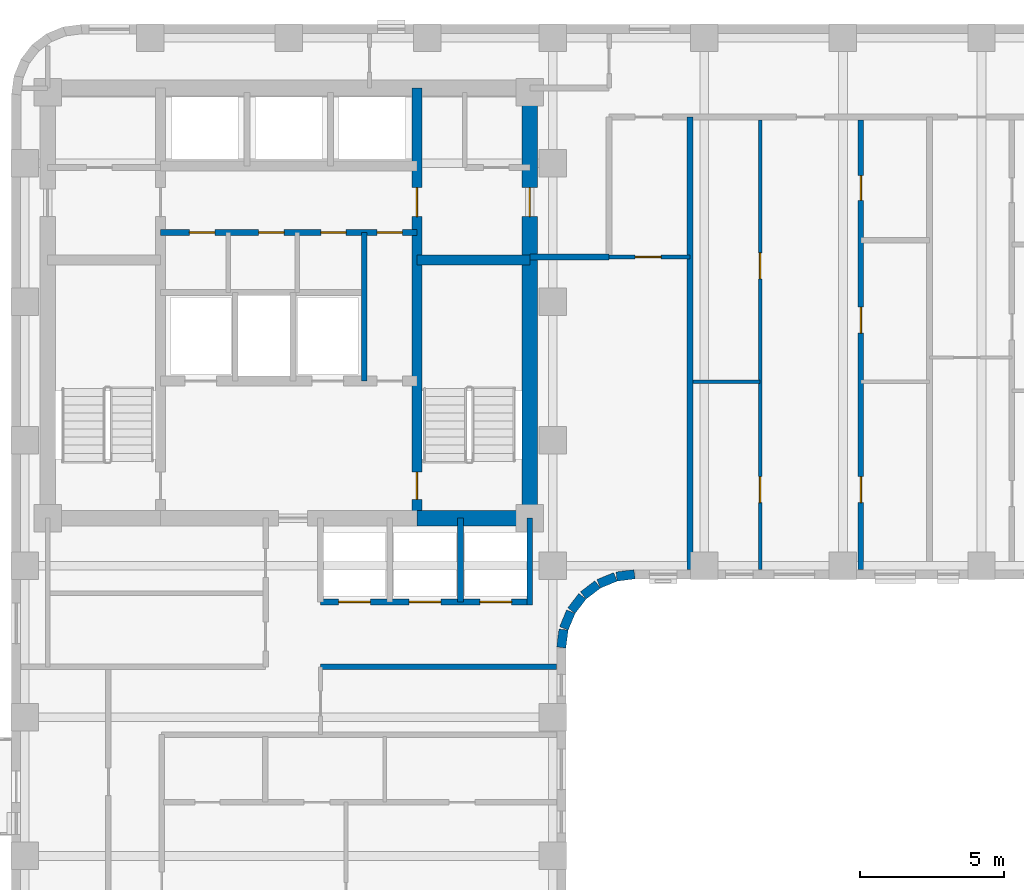
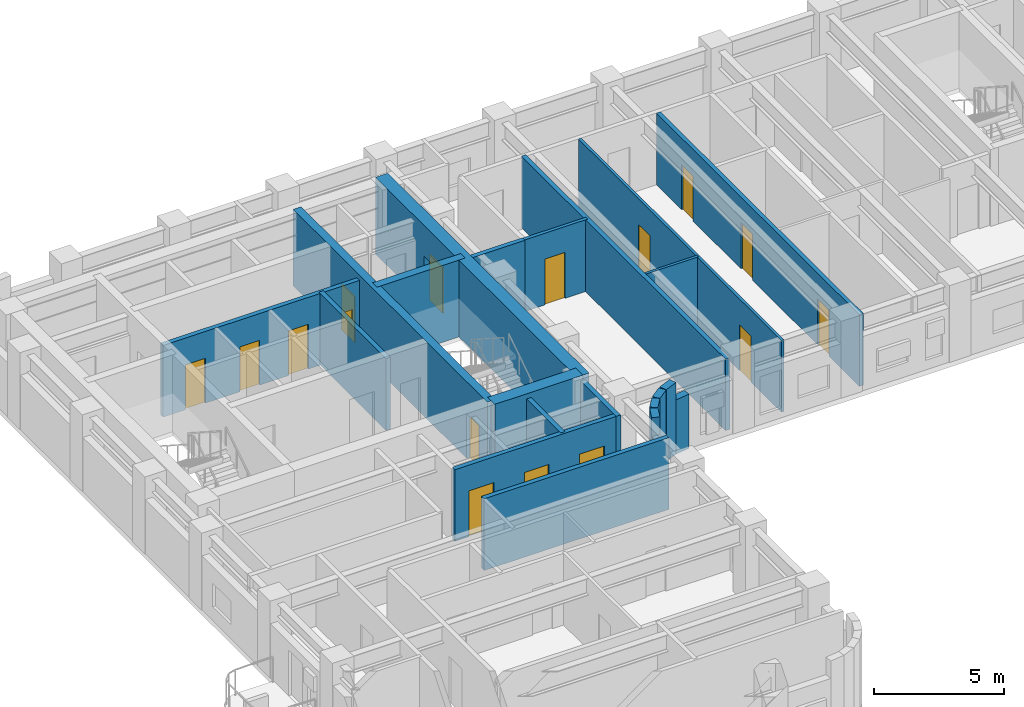
# One storey, part 4 of 10: 22 walls, 16 doors, 16 openings.
"""IFC4 building model written with IfcOpenShell, lengths in metres."""

from ifc_helpers import new_model, si_unit, direction, frame, frame_2d, origin, place, context, subcontext, project, spatial, rectangle, extrude, material, layer, layer_set, type_object, element, fill, save


model = new_model("IFC4")

# Units and contexts
model_context = context("Model", 3, precision=1e-05, world=origin(), true_north=direction((0.0, 1.0)))
body_context = subcontext(model_context, "Body", "Model", "MODEL_VIEW")
ifc_project = project(units=[si_unit("LENGTHUNIT", "METRE"), si_unit("AREAUNIT", "SQUARE_METRE"), si_unit("VOLUMEUNIT", "CUBIC_METRE"), si_unit("PLANEANGLEUNIT", "RADIAN"), si_unit("MASSUNIT", "GRAM", prefix="KILO")], contexts=[model_context])

# Site, building, storey
site_placement = place(None, origin())
site = spatial("IfcSite", under=ifc_project, at=site_placement, CompositionType="ELEMENT")
building_placement = place(site_placement, origin())
building = spatial("IfcBuilding", under=site, at=building_placement, Name="Orvandelia Arch Residences", CompositionType="ELEMENT")
storey_placement = place(building_placement, frame((0.0, 0.0, 143.199951171875)))
storey = spatial("IfcBuildingStorey", under=building, at=storey_placement, Name="L37", CompositionType="ELEMENT", Elevation=143.199951171875)

# Wall, openings, doors
ifc_material_1 = material(Name="Concrete C50/60", Category="concrete")
ifc_layer_1 = layer(ifc_material_1, 0.35009765625, Name="Concrete C50/60", Category="concrete")
ifc_layer_set_1 = layer_set([ifc_layer_1], Name="Concrete C50/60")
wall_type_1 = type_object("IfcWallType", Name="WL-CORE-350", PredefinedType="SHEAR", material=ifc_layer_set_1)
wall_1_placement = place(storey_placement, frame((18.840087890625, 30.89990234375, 0.0), z_axis=(0.0, 0.0, 1.0), x_axis=(0.0, 1.0, 0.0)))
wall_1 = element("IfcWall", 1, at=wall_1_placement, inside=storey, type_object=wall_type_1, Name="Core Shear Wall L37-WEB2", PredefinedType="SHEAR", context=body_context, shape_type="SweptSolid", body=[
    extrude(rectangle(XDim=14.900146484375, YDim=0.35009765625, at=frame_2d((7.4501953125, 0.0))), origin(), (0.0, 0.0, 1.0), 3.60009765625),
])
opening_1_placement = place(wall_1_placement, frame((0.64990234375, 0.0, 0.0)))
opening_1 = element("IfcOpeningElement", 2, at=opening_1_placement, cuts=wall_1, Name="Opening D7", PredefinedType="OPENING", context=body_context, shape_type="SweptSolid", body=[
    extrude(rectangle(XDim=0.949951171875, YDim=2.10009765625, at=frame_2d((0.47509765625, 1.050048828125))), frame((0.0, 0.18505859375, 0.0), z_axis=(0.0, -1.0, 0.0), x_axis=(1.0, 0.0, 0.0)), (0.0, 0.0, 1.0), 0.3701171875),
])
opening_2_placement = place(wall_1_placement, frame((10.449951171875, 0.0, 0.0)))
opening_2 = element("IfcOpeningElement", 3, at=opening_2_placement, cuts=wall_1, Name="Opening D6", PredefinedType="OPENING", context=body_context, shape_type="SweptSolid", body=[
    extrude(rectangle(XDim=1.0, YDim=2.14990234375, at=frame_2d((0.5, 1.074951171875))), frame((0.0, 0.18505859375, 0.0), z_axis=(0.0, -1.0, 0.0), x_axis=(1.0, 0.0, 0.0)), (0.0, 0.0, 1.0), 0.3701171875),
])
ifc_material_2 = material(Name="Smokeproof Painted Steel Fire Door", Category="steel")
door_type_1 = type_object("IfcDoorType", Name="DR-FD60-1000", OperationType="NOTDEFINED", PredefinedType="DOOR", material=ifc_material_2)
door_1_placement = place(opening_2_placement, origin())
door_1 = element("IfcDoor", 4, at=door_1_placement, inside=storey, type_object=door_type_1, Name="High-Rise Lift Hall East Vestibule Door L37", OperationType="SINGLE_SWING_RIGHT", OverallHeight=2.14990234375, OverallWidth=1.0, PredefinedType="DOOR", context=body_context, shape_type="SweptSolid", body=[
    extrude(rectangle(XDim=1.0, YDim=2.14990234375, at=frame_2d((0.5, 1.074951171875))), frame((0.0, 0.02490234375, 0.0), z_axis=(0.0, -1.0, 0.0), x_axis=(1.0, 0.0, 0.0)), (0.0, 0.0, 1.0), 0.050048828125),
])
fill(opening_2, door_1)
ifc_material_3 = material(Name="Pressurised Stairwell Fire Door")
door_type_2 = type_object("IfcDoorType", Name="DR-STAIR-950", OperationType="NOTDEFINED", PredefinedType="DOOR", material=ifc_material_3)
door_2_placement = place(opening_1_placement, origin())
door_2 = element("IfcDoor", 5, at=door_2_placement, inside=storey, type_object=door_type_2, Name="Stairwell ST-2 Fire Door L37", OperationType="SINGLE_SWING_RIGHT", OverallHeight=2.10009765625, OverallWidth=0.949951171875, PredefinedType="DOOR", context=body_context, shape_type="SweptSolid", body=[
    extrude(rectangle(XDim=0.949951171875, YDim=2.10009765625, at=frame_2d((0.47509765625, 1.050048828125))), frame((0.0, 0.02490234375, 0.0), z_axis=(0.0, -1.0, 0.0), x_axis=(1.0, 0.0, 0.0)), (0.0, 0.0, 1.0), 0.050048828125),
])
fill(opening_1, door_2)

# Wall
wall_2_placement = place(storey_placement, frame((18.840087890625, 39.85009765625, 0.0), z_axis=(0.0, 0.0, 1.0), x_axis=(1.0, 0.0, 0.0)))
element("IfcWall", 6, at=wall_2_placement, inside=storey, type_object=wall_type_1, Name="Core Shear Wall L37-HZ2", PredefinedType="SHEAR", context=body_context, shape_type="SweptSolid", body=[
    extrude(rectangle(XDim=3.909912109375, YDim=0.35009765625, at=frame_2d((1.955078125, 0.0))), origin(), (0.0, 0.0, 1.0), 3.60009765625),
])

# Wall, opening, door
ifc_material_4 = material(Name="Concrete C60/75", Category="concrete")
ifc_layer_2 = layer(ifc_material_4, 0.550048828125, Name="Concrete C60/75", Category="concrete")
ifc_layer_set_2 = layer_set([ifc_layer_2], Name="Concrete C60/75")
wall_type_2 = type_object("IfcWallType", Name="WL-CORE-550", PredefinedType="SHEAR", material=ifc_layer_set_2)
wall_3_placement = place(storey_placement, frame((22.75, 30.625, 0.0), z_axis=(0.0, 0.0, 1.0), x_axis=(0.0, 1.0, 0.0)))
wall_3 = element("IfcWall", 7, at=wall_3_placement, inside=storey, type_object=wall_type_2, Name="Core Shear Wall L37-E", PredefinedType="SHEAR", context=body_context, shape_type="SweptSolid", body=[
    extrude(rectangle(XDim=15.449951171875, YDim=0.550048828125, at=frame_2d((7.72509765625, 0.0))), origin(), (0.0, 0.0, 1.0), 3.60009765625),
])
opening_3_placement = place(wall_3_placement, frame((10.72509765625, 0.0, 0.0)))
opening_3 = element("IfcOpeningElement", 8, at=opening_3_placement, cuts=wall_3, Name="Opening D6", PredefinedType="OPENING", context=body_context, shape_type="SweptSolid", body=[
    extrude(rectangle(XDim=1.0, YDim=2.14990234375, at=frame_2d((0.5, 1.074951171875))), frame((0.0, 0.28515625, 0.0), z_axis=(0.0, -1.0, 0.0), x_axis=(1.0, 0.0, 0.0)), (0.0, 0.0, 1.0), 0.570068359375),
])
door_3_placement = place(opening_3_placement, origin())
door_3 = element("IfcDoor", 9, at=door_3_placement, inside=storey, type_object=door_type_1, Name="Core East Corridor Link Door L37", OperationType="SINGLE_SWING_LEFT", OverallHeight=2.14990234375, OverallWidth=1.0, PredefinedType="DOOR", context=body_context, shape_type="SweptSolid", body=[
    extrude(rectangle(XDim=1.0, YDim=2.14990234375, at=frame_2d((0.5, 1.074951171875))), frame((0.0, 0.02490234375, 0.0), z_axis=(0.0, -1.0, 0.0), x_axis=(1.0, 0.0, 0.0)), (0.0, 0.0, 1.0), 0.050048828125),
])
fill(opening_3, door_3)

# Walls
wall_4_placement = place(storey_placement, frame((18.840087890625, 30.89990234375, 0.0), z_axis=(0.0, 0.0, 1.0), x_axis=(1.0, 0.0, 0.0)))
element("IfcWall", 10, at=wall_4_placement, inside=storey, type_object=wall_type_2, Name="Core Shear Wall L37-SE", PredefinedType="SHEAR", context=body_context, shape_type="SweptSolid", body=[
    extrude(rectangle(XDim=3.909912109375, YDim=0.550048828125, at=frame_2d((1.955078125, 0.0))), origin(), (0.0, 0.0, 1.0), 3.60009765625),
])
ifc_material_5 = material(Name="Fire-Rated Corridor Partition")
ifc_layer_3 = layer(ifc_material_5, 0.199951171875, Name="Fire-Rated Corridor Partition")
ifc_layer_set_3 = layer_set([ifc_layer_3], Name="Fire-Rated Corridor Partition")
wall_type_3 = type_object("IfcWallType", Name="WL-CORR-200", PredefinedType="PARTITIONING", material=ifc_layer_set_3)
wall_5_placement = place(storey_placement, frame((15.5, 25.75, 0.0), z_axis=(0.0, 0.0, 1.0), x_axis=(1.0, 0.0, 0.0)))
element("IfcWall", 11, at=wall_5_placement, inside=storey, type_object=wall_type_3, Name="Interior Partition Wall WL-L37-WLNK-NE2", PredefinedType="PARTITIONING", context=body_context, shape_type="SweptSolid", body=[
    extrude(rectangle(XDim=8.179931640625, YDim=0.199951171875, at=frame_2d((4.08984375, 0.0))), origin(), (0.0, 0.0, 1.0), 3.360107421875),
])
wall_6_placement = place(storey_placement, frame((22.75, 39.949951171875, 0.0), z_axis=(0.0, 0.0, 1.0), x_axis=(1.0, 0.0, 0.0)))
element("IfcWall", 12, at=wall_6_placement, inside=storey, type_object=wall_type_3, Name="Interior Partition Wall WL-L37-EN2-LS", PredefinedType="PARTITIONING", context=body_context, shape_type="SweptSolid", body=[
    extrude(rectangle(XDim=2.75, YDim=0.199951171875, at=frame_2d((1.375, 0.0))), origin(), (0.0, 0.0, 1.0), 3.360107421875),
])
ifc_material_6 = material(Name="Concrete C40/50", Category="concrete")
ifc_layer_4 = layer(ifc_material_6, 0.199951171875, Name="Concrete C40/50", Category="concrete")
ifc_layer_set_4 = layer_set([ifc_layer_4], Name="Concrete C40/50")
wall_type_4 = type_object("IfcWallType", Name="WL-DEM-200", PredefinedType="SOLIDWALL", material=ifc_layer_set_4)
wall_7_placement = place(storey_placement, frame((28.300048828125, 29.1201171875, 0.0), z_axis=(0.0, 0.0, 1.0), x_axis=(0.0, 1.0, 0.0)))
element("IfcWall", 13, at=wall_7_placement, inside=storey, type_object=wall_type_4, Name="Interior Partition Wall WL-L37-EN2-KLE", PredefinedType="SOLIDWALL", context=body_context, shape_type="SweptSolid", body=[
    extrude(rectangle(XDim=15.679931640625, YDim=0.199951171875, at=frame_2d((7.83984375, 0.0))), origin(), (0.0, 0.0, 1.0), 3.360107421875),
])
ifc_material_7 = material(Name="Precast concrete C40/50", Category="concrete")
ifc_layer_5 = layer(ifc_material_7, 0.320068359375, Name="Precast concrete C40/50", Category="concrete")
ifc_layer_set_5 = layer_set([ifc_layer_5], Name="Precast concrete C40/50")
wall_type_5 = type_object("IfcWallType", Name="WL-EXT-STONE-320", PredefinedType="STANDARD", material=ifc_layer_set_5)
wall_8_placement = place(storey_placement, frame((26.379150390625, 28.95849609375, 0.0), z_axis=(0.0, 0.0, 1.0), x_axis=(-0.991447664465, -0.130504898859, 0.0)))
element("IfcWall", 14, at=wall_8_placement, inside=storey, type_object=wall_type_5, Name="Coral-Limestone Precast Facade Wall L37-022", PredefinedType="STANDARD", context=body_context, shape_type="SweptSolid", body=[
    extrude(rectangle(XDim=0.626708984375, YDim=0.320068359375, at=frame_2d((0.3134765625, 0.0))), origin(), (0.0, 0.0, 1.0), 2.5400390625),
])
wall_9_placement = place(storey_placement, frame((25.717529296875, 28.865966796875, 0.0), z_axis=(0.0, 0.0, 1.0), x_axis=(-0.923836271867, -0.382787856107, 0.0)))
element("IfcWall", 15, at=wall_9_placement, inside=storey, type_object=wall_type_5, Name="Coral-Limestone Precast Facade Wall L37-023", PredefinedType="STANDARD", context=body_context, shape_type="SweptSolid", body=[
    extrude(rectangle(XDim=0.626220703125, YDim=0.320068359375, at=frame_2d((0.31298828125, 0.0))), origin(), (0.0, 0.0, 1.0), 3.360107421875),
])
for number, where, z_axis, x_axis, name in (
    (16, (25.1025390625, 28.60546875, 0.0), (0.0, 0.0, 1.0), (-0.793405610854, -0.608693302629, 0.0), "Coral-Limestone Precast Facade Wall L37-024"),
    (17, (24.575927734375, 28.194580078125, 0.0), (0.0, 0.0, 1.0), (-0.608693302629, -0.793405610854, 0.0), "Coral-Limestone Precast Facade Wall L37-025"),
):
    element("IfcWall", number, at=place(storey_placement, frame(where, z_axis=z_axis, x_axis=x_axis)), inside=storey, type_object=wall_type_5, Name=name, PredefinedType="STANDARD", context=body_context, shape_type="SweptSolid", body=[
        extrude(rectangle(XDim=0.62646484375, YDim=0.320068359375, at=frame_2d((0.313232421875, 0.0))), origin(), (0.0, 0.0, 1.0), 3.360107421875),
    ])
wall_10_placement = place(storey_placement, frame((24.173583984375, 27.6611328125, 0.0), z_axis=(0.0, 0.0, 1.0), x_axis=(-0.382455093999, -0.923974080304, 0.0)))
element("IfcWall", 18, at=wall_10_placement, inside=storey, type_object=wall_type_5, Name="Coral-Limestone Precast Facade Wall L37-026", PredefinedType="STANDARD", context=body_context, shape_type="SweptSolid", body=[
    extrude(rectangle(XDim=0.626220703125, YDim=0.320068359375, at=frame_2d((0.31298828125, 0.0))), origin(), (0.0, 0.0, 1.0), 3.360107421875),
])
wall_11_placement = place(storey_placement, frame((23.923095703125, 27.0419921875, 0.0), z_axis=(0.0, 0.0, 1.0), x_axis=(-0.130555323746, -0.9914410257, 0.0)))
element("IfcWall", 19, at=wall_11_placement, inside=storey, type_object=wall_type_5, Name="Coral-Limestone Precast Facade Wall L37-027", PredefinedType="STANDARD", context=body_context, shape_type="SweptSolid", body=[
    extrude(rectangle(XDim=0.62646484375, YDim=0.320068359375, at=frame_2d((0.313232421875, 0.0))), origin(), (0.0, 0.0, 1.0), 2.5400390625),
])

# Wall, openings, doors
ifc_material_8 = material(Name="Lightweight Gypsum Stud Partition")
ifc_layer_6 = layer(ifc_material_8, 0.1201171875, Name="Lightweight Gypsum Stud Partition")
ifc_layer_set_6 = layer_set([ifc_layer_6], Name="Lightweight Gypsum Stud Partition")
wall_type_6 = type_object("IfcWallType", Name="WL-PART-120", PredefinedType="PARTITIONING", material=ifc_layer_set_6)
wall_12_placement = place(storey_placement, frame((30.73095703125, 29.1201171875, 0.0), z_axis=(0.0, 0.0, 1.0), x_axis=(0.0, 1.0, 0.0)))
wall_12 = element("IfcWall", 20, at=wall_12_placement, inside=storey, type_object=wall_type_6, Name="Interior Partition Wall WL-L37-U03-VB", PredefinedType="PARTITIONING", context=body_context, shape_type="SweptSolid", body=[
    extrude(rectangle(XDim=15.579833984375, YDim=0.1201171875, at=frame_2d((7.7900390625, 0.0))), origin(), (0.0, 0.0, 1.0), 3.360107421875),
])
opening_4_placement = place(wall_12_placement, frame((2.323486328125, 0.0, 0.0)))
opening_4 = element("IfcOpeningElement", 21, at=opening_4_placement, cuts=wall_12, Name="Opening D3", PredefinedType="OPENING", context=body_context, shape_type="SweptSolid", body=[
    extrude(rectangle(XDim=0.89990234375, YDim=2.14990234375, at=frame_2d((0.449951171875, 1.074951171875))), frame((0.0, 0.070068359375, 0.0), z_axis=(0.0, -1.0, 0.0), x_axis=(1.0, 0.0, 0.0)), (0.0, 0.0, 1.0), 0.14013671875),
])
opening_5_placement = place(wall_12_placement, frame((10.073486328125, 0.0, 0.0)))
opening_5 = element("IfcOpeningElement", 22, at=opening_5_placement, cuts=wall_12, Name="Opening D3", PredefinedType="OPENING", context=body_context, shape_type="SweptSolid", body=[
    extrude(rectangle(XDim=0.89990234375, YDim=2.14990234375, at=frame_2d((0.449951171875, 1.074951171875))), frame((0.0, 0.070068359375, 0.0), z_axis=(0.0, -1.0, 0.0), x_axis=(1.0, 0.0, 0.0)), (0.0, 0.0, 1.0), 0.14013671875),
])
ifc_material_9 = material(Name="Engineered Timber Flush Door", Category="wood")
door_type_3 = type_object("IfcDoorType", Name="DR-INT-900", OperationType="NOTDEFINED", PredefinedType="DOOR", material=ifc_material_9)
door_4_placement = place(opening_4_placement, origin())
door_4 = element("IfcDoor", 23, at=door_4_placement, inside=storey, type_object=door_type_3, Name="DR-L37-U03-BD2", OperationType="SINGLE_SWING_RIGHT", OverallHeight=2.14990234375, OverallWidth=0.89990234375, PredefinedType="DOOR", context=body_context, shape_type="SweptSolid", body=[
    extrude(rectangle(XDim=0.89990234375, YDim=2.14990234375, at=frame_2d((0.449951171875, 1.074951171875))), frame((0.0, 0.02490234375, 0.0), z_axis=(0.0, -1.0, 0.0), x_axis=(1.0, 0.0, 0.0)), (0.0, 0.0, 1.0), 0.050048828125),
])
fill(opening_4, door_4)
door_5_placement = place(opening_5_placement, origin())
door_5 = element("IfcDoor", 24, at=door_5_placement, inside=storey, type_object=door_type_3, Name="DR-L37-U03-STDY", OperationType="SINGLE_SWING_LEFT", OverallHeight=2.14990234375, OverallWidth=0.89990234375, PredefinedType="DOOR", context=body_context, shape_type="SweptSolid", body=[
    extrude(rectangle(XDim=0.89990234375, YDim=2.14990234375, at=frame_2d((0.449951171875, 1.074951171875))), frame((0.0, 0.02490234375, 0.0), z_axis=(0.0, -1.0, 0.0), x_axis=(1.0, 0.0, 0.0)), (0.0, 0.0, 1.0), 0.050048828125),
])
fill(opening_5, door_5)

# Wall
wall_13_placement = place(storey_placement, frame((28.39990234375, 35.62890625, 0.0), z_axis=(0.0, 0.0, 1.0), x_axis=(1.0, 0.0, 0.0)))
element("IfcWall", 25, at=wall_13_placement, inside=storey, type_object=wall_type_6, Name="Interior Partition Wall WL-L37-U03-HB", PredefinedType="PARTITIONING", context=body_context, shape_type="SweptSolid", body=[
    extrude(rectangle(XDim=2.3310546875, YDim=0.1201171875, at=frame_2d((1.16552734375, 0.0))), origin(), (0.0, 0.0, 1.0), 3.360107421875),
])

# Wall, opening, door
ifc_material_10 = material(Name="Acoustic Gypsum Stud Partition")
ifc_layer_7 = layer(ifc_material_10, 0.14990234375, Name="Acoustic Gypsum Stud Partition")
ifc_layer_set_7 = layer_set([ifc_layer_7], Name="Acoustic Gypsum Stud Partition")
wall_type_7 = type_object("IfcWallType", Name="WL-PART-150", PredefinedType="PARTITIONING", material=ifc_layer_set_7)
wall_14_placement = place(storey_placement, frame((25.5, 39.949951171875, 0.0), z_axis=(0.0, 0.0, 1.0), x_axis=(1.0, 0.0, 0.0)))
wall_14 = element("IfcWall", 26, at=wall_14_placement, inside=storey, type_object=wall_type_7, Name="Interior Partition Wall WL-L37-EN2-KLN", PredefinedType="PARTITIONING", context=body_context, shape_type="SweptSolid", body=[
    extrude(rectangle(XDim=2.800048828125, YDim=0.14990234375, at=frame_2d((1.39990234375, 0.0))), origin(), (0.0, 0.0, 1.0), 3.360107421875),
])
opening_6_placement = place(wall_14_placement, frame((0.89990234375, 0.0, 0.0)))
opening_6 = element("IfcOpeningElement", 27, at=opening_6_placement, cuts=wall_14, Name="Opening D3", PredefinedType="OPENING", context=body_context, shape_type="SweptSolid", body=[
    extrude(rectangle(XDim=0.89990234375, YDim=2.14990234375, at=frame_2d((0.449951171875, 1.074951171875))), frame((0.0, 0.0849609375, 0.0), z_axis=(0.0, -1.0, 0.0), x_axis=(1.0, 0.0, 0.0)), (0.0, 0.0, 1.0), 0.169921875),
])
door_6_placement = place(opening_6_placement, origin())
door_6 = element("IfcDoor", 28, at=door_6_placement, inside=storey, type_object=door_type_3, Name="DR-L37-EN2KNK", OperationType="SINGLE_SWING_RIGHT", OverallHeight=2.14990234375, OverallWidth=0.89990234375, PredefinedType="DOOR", context=body_context, shape_type="SweptSolid", body=[
    extrude(rectangle(XDim=0.89990234375, YDim=2.14990234375, at=frame_2d((0.449951171875, 1.074951171875))), frame((0.0, 0.02490234375, 0.0), z_axis=(0.0, -1.0, 0.0), x_axis=(1.0, 0.0, 0.0)), (0.0, 0.0, 1.0), 0.050048828125),
])
fill(opening_6, door_6)

# Wall
ifc_material_11 = material(Name="Fire-Rated Shaft Enclosure Wall")
ifc_layer_8 = layer(ifc_material_11, 0.199951171875, Name="Fire-Rated Shaft Enclosure Wall")
ifc_layer_set_8 = layer_set([ifc_layer_8], Name="Fire-Rated Shaft Enclosure Wall")
wall_type_8 = type_object("IfcWallType", Name="WL-SHAFT-200", PredefinedType="POLYGONAL", material=ifc_layer_set_8)
wall_15_placement = place(storey_placement, frame((17.02001953125, 35.64990234375, 0.0), z_axis=(0.0, 0.0, 1.0), x_axis=(0.0, 1.0, 0.0)))
element("IfcWall", 29, at=wall_15_placement, inside=storey, type_object=wall_type_8, Name="Interior Partition Wall WL-L37-FLM3", PredefinedType="POLYGONAL", context=body_context, shape_type="SweptSolid", body=[
    extrude(rectangle(XDim=5.150146484375, YDim=0.199951171875, at=frame_2d((2.5751953125, 0.0))), origin(), (0.0, 0.0, 1.0), 3.360107421875),
])

# Wall, openings, doors
wall_16_placement = place(storey_placement, frame((9.9599609375, 40.800048828125, 0.0), z_axis=(0.0, 0.0, 1.0), x_axis=(1.0, 0.0, 0.0)))
wall_16 = element("IfcWall", 30, at=wall_16_placement, inside=storey, type_object=wall_type_8, Name="Interior Partition Wall WL-L37-HLH-S", PredefinedType="POLYGONAL", context=body_context, shape_type="SweptSolid", body=[
    extrude(rectangle(XDim=8.880126953125, YDim=0.199951171875, at=frame_2d((4.43994140625, 0.0))), origin(), (0.0, 0.0, 1.0), 3.360107421875),
])
opening_7_placement = place(wall_16_placement, frame((7.5, 0.0, 0.0)))
opening_7 = element("IfcOpeningElement", 31, at=opening_7_placement, cuts=wall_16, Name="Opening D5", PredefinedType="OPENING", context=body_context, shape_type="SweptSolid", body=[
    extrude(rectangle(XDim=0.8798828125, YDim=2.10009765625, at=frame_2d((0.43994140625, 1.050048828125))), frame((0.0, 0.10986328125, 0.0), z_axis=(0.0, -1.0, 0.0), x_axis=(1.0, 0.0, 0.0)), (0.0, 0.0, 1.0), 0.219970703125),
])
opening_8_placement = place(wall_16_placement, frame((1.0, 0.0, 0.0)))
opening_8 = element("IfcOpeningElement", 32, at=opening_8_placement, cuts=wall_16, Name="Opening D5", PredefinedType="OPENING", context=body_context, shape_type="SweptSolid", body=[
    extrude(rectangle(XDim=0.8798828125, YDim=2.10009765625, at=frame_2d((0.43994140625, 1.050048828125))), frame((0.0, 0.10986328125, 0.0), z_axis=(0.0, -1.0, 0.0), x_axis=(1.0, 0.0, 0.0)), (0.0, 0.0, 1.0), 0.219970703125),
])
opening_9_placement = place(wall_16_placement, frame((3.39990234375, 0.0, 0.0)))
opening_9 = element("IfcOpeningElement", 33, at=opening_9_placement, cuts=wall_16, Name="Opening D5", PredefinedType="OPENING", context=body_context, shape_type="SweptSolid", body=[
    extrude(rectangle(XDim=0.8798828125, YDim=2.10009765625, at=frame_2d((0.43994140625, 1.050048828125))), frame((0.0, 0.10986328125, 0.0), z_axis=(0.0, -1.0, 0.0), x_axis=(1.0, 0.0, 0.0)), (0.0, 0.0, 1.0), 0.219970703125),
])
opening_10_placement = place(wall_16_placement, frame((5.550048828125, 0.0, 0.0)))
opening_10 = element("IfcOpeningElement", 34, at=opening_10_placement, cuts=wall_16, Name="Opening D5", PredefinedType="OPENING", context=body_context, shape_type="SweptSolid", body=[
    extrude(rectangle(XDim=0.8798828125, YDim=2.10009765625, at=frame_2d((0.43994140625, 1.050048828125))), frame((0.0, 0.10986328125, 0.0), z_axis=(0.0, -1.0, 0.0), x_axis=(1.0, 0.0, 0.0)), (0.0, 0.0, 1.0), 0.219970703125),
])
ifc_material_12 = material(Name="Painted Galvanised Steel Service Door", Category="steel")
door_type_4 = type_object("IfcDoorType", Name="DR-SRV-880", OperationType="NOTDEFINED", PredefinedType="DOOR", material=ifc_material_12)
door_7_placement = place(opening_7_placement, origin())
door_7 = element("IfcDoor", 35, at=door_7_placement, inside=storey, type_object=door_type_4, Name="Core Stairway Passage North Fire Door L37", OperationType="SINGLE_SWING_RIGHT", OverallHeight=2.10009765625, OverallWidth=0.8798828125, PredefinedType="DOOR", context=body_context, shape_type="SweptSolid", body=[
    extrude(rectangle(XDim=0.8798828125, YDim=2.10009765625, at=frame_2d((0.43994140625, 1.050048828125))), frame((0.0, 0.02490234375, 0.0), z_axis=(0.0, -1.0, 0.0), x_axis=(1.0, 0.0, 0.0)), (0.0, 0.0, 1.0), 0.050048828125),
])
fill(opening_7, door_7)
door_8_placement = place(opening_8_placement, origin())
door_8 = element("IfcDoor", 36, at=door_8_placement, inside=storey, type_object=door_type_4, Name="DR-L37-CSA1", OperationType="SINGLE_SWING_LEFT", OverallHeight=2.10009765625, OverallWidth=0.8798828125, PredefinedType="DOOR", context=body_context, shape_type="SweptSolid", body=[
    extrude(rectangle(XDim=0.8798828125, YDim=2.10009765625, at=frame_2d((0.43994140625, 1.050048828125))), frame((0.0, 0.02490234375, 0.0), z_axis=(0.0, -1.0, 0.0), x_axis=(1.0, 0.0, 0.0)), (0.0, 0.0, 1.0), 0.050048828125),
])
fill(opening_8, door_8)
door_9_placement = place(opening_9_placement, origin())
door_9 = element("IfcDoor", 37, at=door_9_placement, inside=storey, type_object=door_type_4, Name="DR-L37-CSA2", OperationType="SINGLE_SWING_RIGHT", OverallHeight=2.10009765625, OverallWidth=0.8798828125, PredefinedType="DOOR", context=body_context, shape_type="SweptSolid", body=[
    extrude(rectangle(XDim=0.8798828125, YDim=2.10009765625, at=frame_2d((0.43994140625, 1.050048828125))), frame((0.0, 0.02490234375, 0.0), z_axis=(0.0, -1.0, 0.0), x_axis=(1.0, 0.0, 0.0)), (0.0, 0.0, 1.0), 0.050048828125),
])
fill(opening_9, door_9)
door_10_placement = place(opening_10_placement, origin())
door_10 = element("IfcDoor", 38, at=door_10_placement, inside=storey, type_object=door_type_4, Name="DR-L37-CSA3", OperationType="SINGLE_SWING_LEFT", OverallHeight=2.10009765625, OverallWidth=0.8798828125, PredefinedType="DOOR", context=body_context, shape_type="SweptSolid", body=[
    extrude(rectangle(XDim=0.8798828125, YDim=2.10009765625, at=frame_2d((0.43994140625, 1.050048828125))), frame((0.0, 0.02490234375, 0.0), z_axis=(0.0, -1.0, 0.0), x_axis=(1.0, 0.0, 0.0)), (0.0, 0.0, 1.0), 0.050048828125),
])
fill(opening_10, door_10)

wall_17_placement = place(storey_placement, frame((15.5, 28.0, 0.0), z_axis=(0.0, 0.0, 1.0), x_axis=(1.0, 0.0, 0.0)))
wall_17 = element("IfcWall", 39, at=wall_17_placement, inside=storey, type_object=wall_type_8, Name="Interior Partition Wall WL-L37-BNKM-S", PredefinedType="POLYGONAL", context=body_context, shape_type="SweptSolid", body=[
    extrude(rectangle(XDim=7.25, YDim=0.199951171875, at=frame_2d((3.625, 0.0))), origin(), (0.0, 0.0, 1.0), 3.360107421875),
])
opening_11_placement = place(wall_17_placement, frame((0.625, 0.0, 0.0)))
opening_11 = element("IfcOpeningElement", 40, at=opening_11_placement, cuts=wall_17, Name="Opening LD", PredefinedType="OPENING", context=body_context, shape_type="SweptSolid", body=[
    extrude(rectangle(XDim=1.10009765625, YDim=2.14990234375, at=frame_2d((0.550048828125, 1.074951171875))), frame((0.0, 0.10986328125, 0.0), z_axis=(0.0, -1.0, 0.0), x_axis=(1.0, 0.0, 0.0)), (0.0, 0.0, 1.0), 0.219970703125),
])
opening_12_placement = place(wall_17_placement, frame((3.074951171875, 0.0, 0.0)))
opening_12 = element("IfcOpeningElement", 41, at=opening_12_placement, cuts=wall_17, Name="Opening LD", PredefinedType="OPENING", context=body_context, shape_type="SweptSolid", body=[
    extrude(rectangle(XDim=1.10009765625, YDim=2.14990234375, at=frame_2d((0.550048828125, 1.074951171875))), frame((0.0, 0.10986328125, 0.0), z_axis=(0.0, -1.0, 0.0), x_axis=(1.0, 0.0, 0.0)), (0.0, 0.0, 1.0), 0.219970703125),
])
opening_13_placement = place(wall_17_placement, frame((5.52490234375, 0.0, 0.0)))
opening_13 = element("IfcOpeningElement", 42, at=opening_13_placement, cuts=wall_17, Name="Opening LD", PredefinedType="OPENING", context=body_context, shape_type="SweptSolid", body=[
    extrude(rectangle(XDim=1.10009765625, YDim=2.14990234375, at=frame_2d((0.550048828125, 1.074951171875))), frame((0.0, 0.10986328125, 0.0), z_axis=(0.0, -1.0, 0.0), x_axis=(1.0, 0.0, 0.0)), (0.0, 0.0, 1.0), 0.219970703125),
])
ifc_material_13 = material(Name="Brushed Stainless Steel Sliding Lift Door", Category="steel")
door_type_5 = type_object("IfcDoorType", Name="DR-LIFT-1100", OperationType="NOTDEFINED", PredefinedType="DOOR", material=ifc_material_13)
door_11_placement = place(opening_11_placement, origin())
door_11 = element("IfcDoor", 43, at=door_11_placement, inside=storey, type_object=door_type_5, Name="Lift Landing Door LD-PM1", OperationType="SLIDING_TO_LEFT", OverallHeight=2.14990234375, OverallWidth=1.10009765625, PredefinedType="DOOR", context=body_context, shape_type="SweptSolid", body=[
    extrude(rectangle(XDim=1.10009765625, YDim=2.14990234375, at=frame_2d((0.550048828125, 1.074951171875))), frame((0.0, 0.02490234375, 0.0), z_axis=(0.0, -1.0, 0.0), x_axis=(1.0, 0.0, 0.0)), (0.0, 0.0, 1.0), 0.050048828125),
])
fill(opening_11, door_11)
door_12_placement = place(opening_12_placement, origin())
door_12 = element("IfcDoor", 44, at=door_12_placement, inside=storey, type_object=door_type_5, Name="Lift Landing Door LD-PM2", OperationType="SLIDING_TO_RIGHT", OverallHeight=2.14990234375, OverallWidth=1.10009765625, PredefinedType="DOOR", context=body_context, shape_type="SweptSolid", body=[
    extrude(rectangle(XDim=1.10009765625, YDim=2.14990234375, at=frame_2d((0.550048828125, 1.074951171875))), frame((0.0, 0.02490234375, 0.0), z_axis=(0.0, -1.0, 0.0), x_axis=(1.0, 0.0, 0.0)), (0.0, 0.0, 1.0), 0.050048828125),
])
fill(opening_12, door_12)
door_13_placement = place(opening_13_placement, origin())
door_13 = element("IfcDoor", 45, at=door_13_placement, inside=storey, type_object=door_type_5, Name="Lift Landing Door LD-PM3", OperationType="SLIDING_TO_LEFT", OverallHeight=2.14990234375, OverallWidth=1.10009765625, PredefinedType="DOOR", context=body_context, shape_type="SweptSolid", body=[
    extrude(rectangle(XDim=1.10009765625, YDim=2.14990234375, at=frame_2d((0.550048828125, 1.074951171875))), frame((0.0, 0.02490234375, 0.0), z_axis=(0.0, -1.0, 0.0), x_axis=(1.0, 0.0, 0.0)), (0.0, 0.0, 1.0), 0.050048828125),
])
fill(opening_13, door_13)

# Walls
wall_18_placement = place(storey_placement, frame((22.75, 27.89990234375, 0.0), z_axis=(0.0, 0.0, 1.0), x_axis=(0.0, 1.0, 0.0)))
element("IfcWall", 46, at=wall_18_placement, inside=storey, type_object=wall_type_8, Name="Interior Partition Wall WL-L37-BNKM-E", PredefinedType="POLYGONAL", context=body_context, shape_type="SweptSolid", body=[
    extrude(rectangle(XDim=3.0, YDim=0.199951171875, at=frame_2d((1.5, 0.0))), origin(), (0.0, 0.0, 1.0), 3.360107421875),
])
wall_19_placement = place(storey_placement, frame((20.35009765625, 28.0, 0.0), z_axis=(0.0, 0.0, 1.0), x_axis=(0.0, 1.0, 0.0)))
element("IfcWall", 47, at=wall_19_placement, inside=storey, type_object=wall_type_8, Name="Interior Partition Wall WL-L37-BNKMD-2035", PredefinedType="POLYGONAL", context=body_context, shape_type="SweptSolid", body=[
    extrude(rectangle(XDim=2.89990234375, YDim=0.199951171875, at=frame_2d((1.449951171875, 0.0))), origin(), (0.0, 0.0, 1.0), 3.360107421875),
])

# Wall, openings, doors
ifc_material_14 = material(Name="Moisture-Resistant Plumbing Wall")
ifc_layer_9 = layer(ifc_material_14, 0.179931640625, Name="Moisture-Resistant Plumbing Wall")
ifc_layer_set_9 = layer_set([ifc_layer_9], Name="Moisture-Resistant Plumbing Wall")
wall_type_9 = type_object("IfcWallType", Name="WL-WET-180", PredefinedType="PLUMBINGWALL", material=ifc_layer_set_9)
wall_20_placement = place(storey_placement, frame((34.219970703125, 29.1201171875, 0.0), z_axis=(0.0, 0.0, 1.0), x_axis=(0.0, 1.0, 0.0)))
wall_20 = element("IfcWall", 48, at=wall_20_placement, inside=storey, type_object=wall_type_9, Name="Interior Partition Wall WL-L37-U03-VT", PredefinedType="PLUMBINGWALL", context=body_context, shape_type="SweptSolid", body=[
    extrude(rectangle(XDim=15.579833984375, YDim=0.179931640625, at=frame_2d((7.7900390625, 0.0))), origin(), (0.0, 0.0, 1.0), 3.360107421875),
])
opening_14_placement = place(wall_20_placement, frame((2.323486328125, 0.0, 0.0)))
opening_14 = element("IfcOpeningElement", 49, at=opening_14_placement, cuts=wall_20, Name="Opening D3", PredefinedType="OPENING", context=body_context, shape_type="SweptSolid", body=[
    extrude(rectangle(XDim=0.89990234375, YDim=2.14990234375, at=frame_2d((0.449951171875, 1.074951171875))), frame((0.0, 0.10009765625, 0.0), z_axis=(0.0, -1.0, 0.0), x_axis=(1.0, 0.0, 0.0)), (0.0, 0.0, 1.0), 0.199951171875),
])
opening_15_placement = place(wall_20_placement, frame((8.195556640625, 0.0, 0.0)))
opening_15 = element("IfcOpeningElement", 50, at=opening_15_placement, cuts=wall_20, Name="Opening D3", PredefinedType="OPENING", context=body_context, shape_type="SweptSolid", body=[
    extrude(rectangle(XDim=0.89990234375, YDim=2.14990234375, at=frame_2d((0.449951171875, 1.074951171875))), frame((0.0, 0.10009765625, 0.0), z_axis=(0.0, -1.0, 0.0), x_axis=(1.0, 0.0, 0.0)), (0.0, 0.0, 1.0), 0.199951171875),
])
opening_16_placement = place(wall_20_placement, frame((12.789794921875, 0.0, 0.0)))
opening_16 = element("IfcOpeningElement", 51, at=opening_16_placement, cuts=wall_20, Name="Opening D4", PredefinedType="OPENING", context=body_context, shape_type="SweptSolid", body=[
    extrude(rectangle(XDim=0.860107421875, YDim=2.10009765625, at=frame_2d((0.43017578125, 1.050048828125))), frame((0.0, 0.10009765625, 0.0), z_axis=(0.0, -1.0, 0.0), x_axis=(1.0, 0.0, 0.0)), (0.0, 0.0, 1.0), 0.199951171875),
])
door_14_placement = place(opening_14_placement, origin())
door_14 = element("IfcDoor", 52, at=door_14_placement, inside=storey, type_object=door_type_3, Name="DR-L37-U03-BD1", OperationType="SINGLE_SWING_LEFT", OverallHeight=2.14990234375, OverallWidth=0.89990234375, PredefinedType="DOOR", context=body_context, shape_type="SweptSolid", body=[
    extrude(rectangle(XDim=0.89990234375, YDim=2.14990234375, at=frame_2d((0.449951171875, 1.074951171875))), frame((0.0, 0.02490234375, 0.0), z_axis=(0.0, -1.0, 0.0), x_axis=(1.0, 0.0, 0.0)), (0.0, 0.0, 1.0), 0.050048828125),
])
fill(opening_14, door_14)
door_15_placement = place(opening_15_placement, origin())
door_15 = element("IfcDoor", 53, at=door_15_placement, inside=storey, type_object=door_type_3, Name="DR-L37-U03-KIT", OperationType="SINGLE_SWING_RIGHT", OverallHeight=2.14990234375, OverallWidth=0.89990234375, PredefinedType="DOOR", context=body_context, shape_type="SweptSolid", body=[
    extrude(rectangle(XDim=0.89990234375, YDim=2.14990234375, at=frame_2d((0.449951171875, 1.074951171875))), frame((0.0, 0.02490234375, 0.0), z_axis=(0.0, -1.0, 0.0), x_axis=(1.0, 0.0, 0.0)), (0.0, 0.0, 1.0), 0.050048828125),
])
fill(opening_15, door_15)
ifc_material_15 = material(Name="Moisture-Sealed Timber Bathroom Door", Category="wood")
door_type_6 = type_object("IfcDoorType", Name="DR-WET-900", OperationType="NOTDEFINED", PredefinedType="DOOR", material=ifc_material_15)
door_16_placement = place(opening_16_placement, origin())
door_16 = element("IfcDoor", 54, at=door_16_placement, inside=storey, type_object=door_type_6, Name="DR-L37-U03-BTH", OperationType="SINGLE_SWING_LEFT", OverallHeight=2.10009765625, OverallWidth=0.860107421875, PredefinedType="DOOR", context=body_context, shape_type="SweptSolid", body=[
    extrude(rectangle(XDim=0.860107421875, YDim=2.10009765625, at=frame_2d((0.43017578125, 1.050048828125))), frame((0.0, 0.02490234375, 0.0), z_axis=(0.0, -1.0, 0.0), x_axis=(1.0, 0.0, 0.0)), (0.0, 0.0, 1.0), 0.050048828125),
])
fill(opening_16, door_16)

save(model, "model.ifc")
